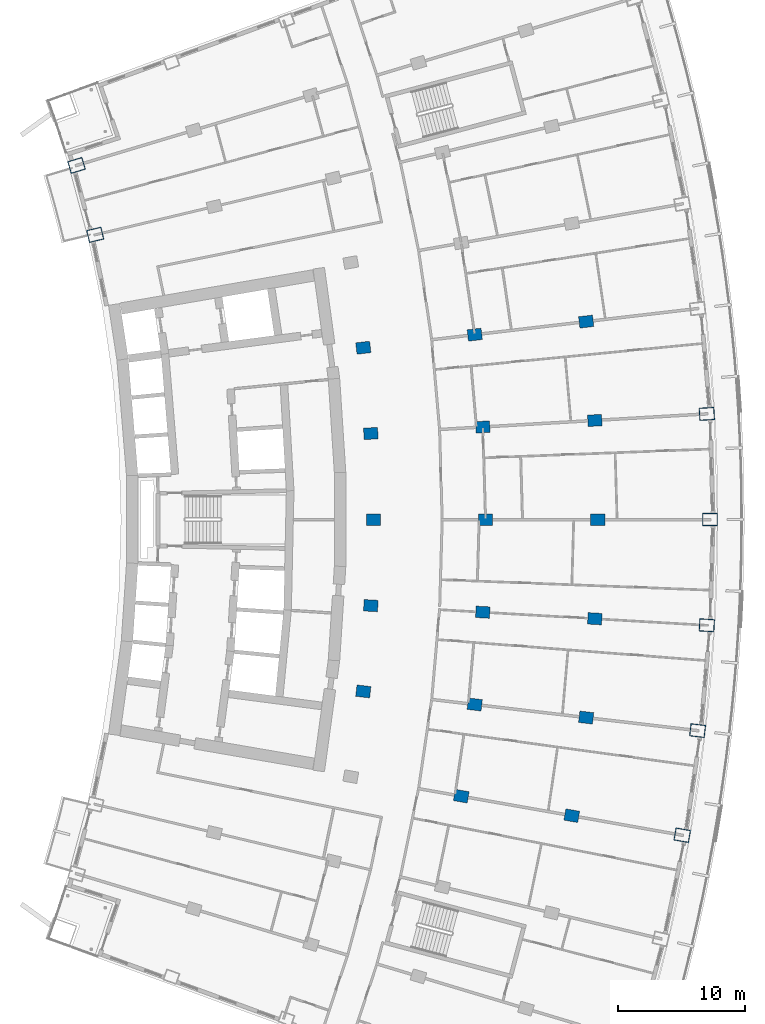
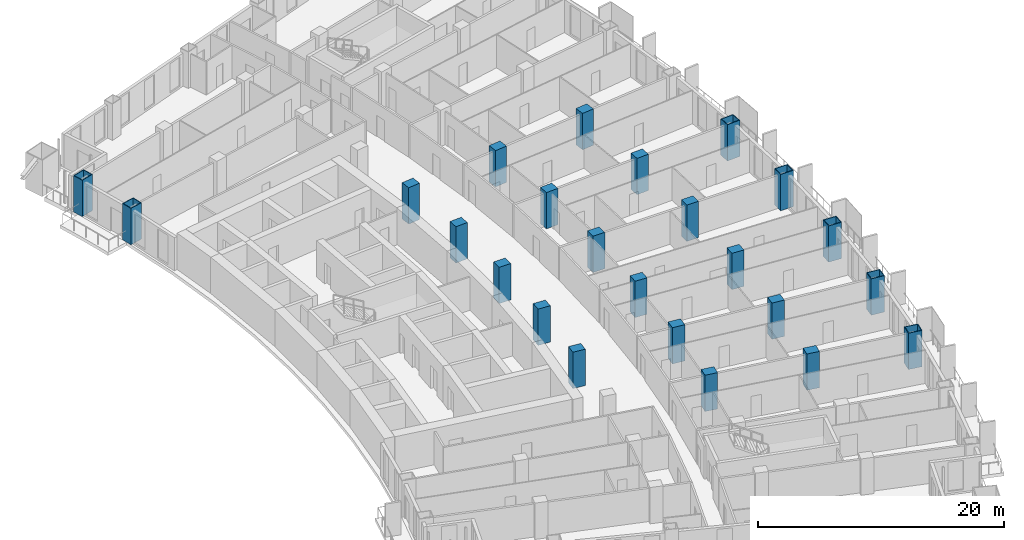
# One storey, part 6 of 25: 24 columns.
"""IFC4 building model written with IfcOpenShell, lengths in metres."""

from ifc_helpers import new_model, si_unit, direction, frame, origin, origin_2d, place, context, subcontext, project, spatial, rectangle, hollow_rectangle, extrude, material, material_profile, profile_set, type_object, element, save


model = new_model("IFC4")

# Units and contexts
model_context = context("Model", 3, precision=1e-05, world=origin(), true_north=direction((0.0, 1.0)))
body_context = subcontext(model_context, "Body", "Model", "MODEL_VIEW")
ifc_project = project(units=[si_unit("LENGTHUNIT", "METRE"), si_unit("AREAUNIT", "SQUARE_METRE"), si_unit("VOLUMEUNIT", "CUBIC_METRE"), si_unit("PLANEANGLEUNIT", "RADIAN"), si_unit("MASSUNIT", "GRAM", prefix="KILO")], contexts=[model_context])

# Site, building, storey
site_placement = place(None, origin())
site = spatial("IfcSite", under=ifc_project, at=site_placement, CompositionType="ELEMENT")
building_placement = place(site_placement, origin())
building = spatial("IfcBuilding", under=site, at=building_placement, Name="Alderwake Tower", CompositionType="ELEMENT")
storey_placement = place(building_placement, frame((0.0, 0.0, 68.0)))
storey = spatial("IfcBuildingStorey", under=building, at=storey_placement, Name="L16", CompositionType="ELEMENT", Elevation=68.0)

# Columns
ifc_material_1 = material(Name="Concrete C70/85", Category="concrete")
ifc_material_profile_1 = material_profile(ifc_material_1, rectangle(XDim=0.89990234375, YDim=1.10009765625, at=origin_2d()), Name="RC 1100X900")
ifc_profile_set_1 = profile_set([ifc_material_profile_1], Name="Concrete C70/85")
column_type_1 = type_object("IfcColumnType", Name="Interior column Z1", PredefinedType="COLUMN", material=ifc_profile_set_1)
for number, where, z_axis, x_axis, name in (
    (1, (42.697021484375, 39.30615234375, 0.0), (0.0, 0.0, 1.0), (0.174108800747, 0.984726421654, 0.0), "Column R04-C3"),
    (2, (51.362548828125, 37.77392578125, 0.0), (0.0, 0.0, 1.0), (0.174108800747, 0.984726421654, 0.0), "Column R04-C4"),
    (3, (35.0126953125, 47.5205078125, 0.0), (0.0, 0.0, 1.0), (0.116402054316, 0.993202175668, 0.0), "Column R05-C2"),
    (4, (43.7529296875, 46.496337890625, 0.0), (0.0, 0.0, 1.0), (0.116402054316, 0.993202175668, 0.0), "Column R05-C3"),
    (5, (52.4931640625, 45.471923828125, 0.0), (0.0, 0.0, 1.0), (0.116402054316, 0.993202175668, 0.0), "Column R05-C4"),
    (6, (35.60302734375, 54.248779296875, 0.0), (0.0, 0.0, 1.0), (0.058301061284, 0.998299046505, 0.0), "Column R06-C2"),
    (7, (44.38818359375, 53.73583984375, 0.0), (0.0, 0.0, 1.0), (0.058299318924, 0.998299148258, 0.0), "Column R06-C3"),
    (8, (53.173095703125, 53.22265625, 0.0), (0.0, 0.0, 1.0), (0.058301061284, 0.998299046505, 0.0), "Column R06-C4"),
    (9, (35.800048828125, 61.0, 0.0), (0.0, 0.0, 1.0), (0.0, 1.0, 0.0), "Column R07-C2"),
    (10, (44.60009765625, 61.0, 0.0), (0.0, 0.0, 1.0), (0.0, 1.0, 0.0), "Column R07-C3"),
    (11, (53.39990234375, 61.0, 0.0), (0.0, 0.0, 1.0), (0.0, 1.0, 0.0), "Column R07-C4"),
    (12, (35.60302734375, 67.751220703125, 0.0), (0.0, 0.0, 1.0), (-0.058301061284, 0.998299046505, 0.0), "Column R08-C2"),
    (13, (44.38818359375, 68.26416015625, 0.0), (0.0, 0.0, 1.0), (-0.058299318924, 0.998299148258, 0.0), "Column R08-C3"),
    (14, (53.173095703125, 68.77734375, 0.0), (0.0, 0.0, 1.0), (-0.058301061284, 0.998299046505, 0.0), "Column R08-C4"),
    (15, (35.0126953125, 74.4794921875, 0.0), (0.0, 0.0, 1.0), (-0.116402054316, 0.993202175668, 0.0), "Column R09-C2"),
    (16, (43.7529296875, 75.503662109375, 0.0), (0.0, 0.0, 1.0), (-0.116402054316, 0.993202175668, 0.0), "Column R09-C3"),
    (17, (52.4931640625, 76.528076171875, 0.0), (0.0, 0.0, 1.0), (-0.116402054316, 0.993202175668, 0.0), "Column R09-C4"),
):
    element("IfcColumn", number, at=place(storey_placement, frame(where, z_axis=z_axis, x_axis=x_axis)), inside=storey, type_object=column_type_1, Name=name, PredefinedType="COLUMN", context=body_context, shape_type="SweptSolid", body=[
        extrude(rectangle(XDim=0.89990234375, YDim=1.10009765625, at=origin_2d()), origin(), (0.0, 0.0, 1.0), 3.60009765625),
    ])
ifc_material_2 = material(Name="Steel ASTM A572 Grade 50 concrete filled C70/85", Category="concrete")
ifc_material_profile_2 = material_profile(ifc_material_2, hollow_rectangle(XDim=1.0, YDim=1.199951171875, WallThickness=0.06005859375, at=origin_2d()), Name="BOX 1200X1000X60")
ifc_profile_set_2 = profile_set([ifc_material_profile_2], Name="Steel ASTM A572 Grade 50 concrete filled C70/85")
column_type_2 = type_object("IfcColumnType", Name="Perimeter column Z1", PredefinedType="COLUMN", material=ifc_profile_set_2)
for number, where, z_axis, x_axis, name in (
    (18, (60.028076171875, 36.24169921875, 0.0), (0.0, 0.0, 1.0), (0.174108800747, 0.984726421654, 0.0), "Column R04-C5"),
    (19, (61.2333984375, 44.447509765625, 0.0), (0.0, 0.0, 1.0), (0.116402054316, 0.993202175668, 0.0), "Column R05-C5"),
    (20, (61.9580078125, 52.709716796875, 0.0), (0.0, 0.0, 1.0), (0.058301061284, 0.998299046505, 0.0), "Column R06-C5"),
    (21, (62.199951171875, 61.0, 0.0), (0.0, 0.0, 1.0), (0.0, 1.0, 0.0), "Column R07-C5"),
    (22, (61.9580078125, 69.290283203125, 0.0), (0.0, 0.0, 1.0), (-0.058301061284, 0.998299046505, 0.0), "Column R08-C5"),
    (23, (13.982177734375, 83.3359375, 0.0), (0.0, 0.0, 1.0), (-0.231221547198, 0.972901123502, 0.0), "Column R11-C0"),
    (24, (12.520263671875, 88.777099609375, 0.0), (0.0, 0.0, 1.0), (-0.287549418125, 0.957765802342, 0.0), "Column R12-C0"),
):
    element("IfcColumn", number, at=place(storey_placement, frame(where, z_axis=z_axis, x_axis=x_axis)), inside=storey, type_object=column_type_2, Name=name, PredefinedType="COLUMN", context=body_context, shape_type="SweptSolid", body=[
        extrude(hollow_rectangle(XDim=1.0, YDim=1.199951171875, WallThickness=0.06005859375, at=origin_2d()), origin(), (0.0, 0.0, 1.0), 3.60009765625),
    ])

save(model, "model.ifc")
